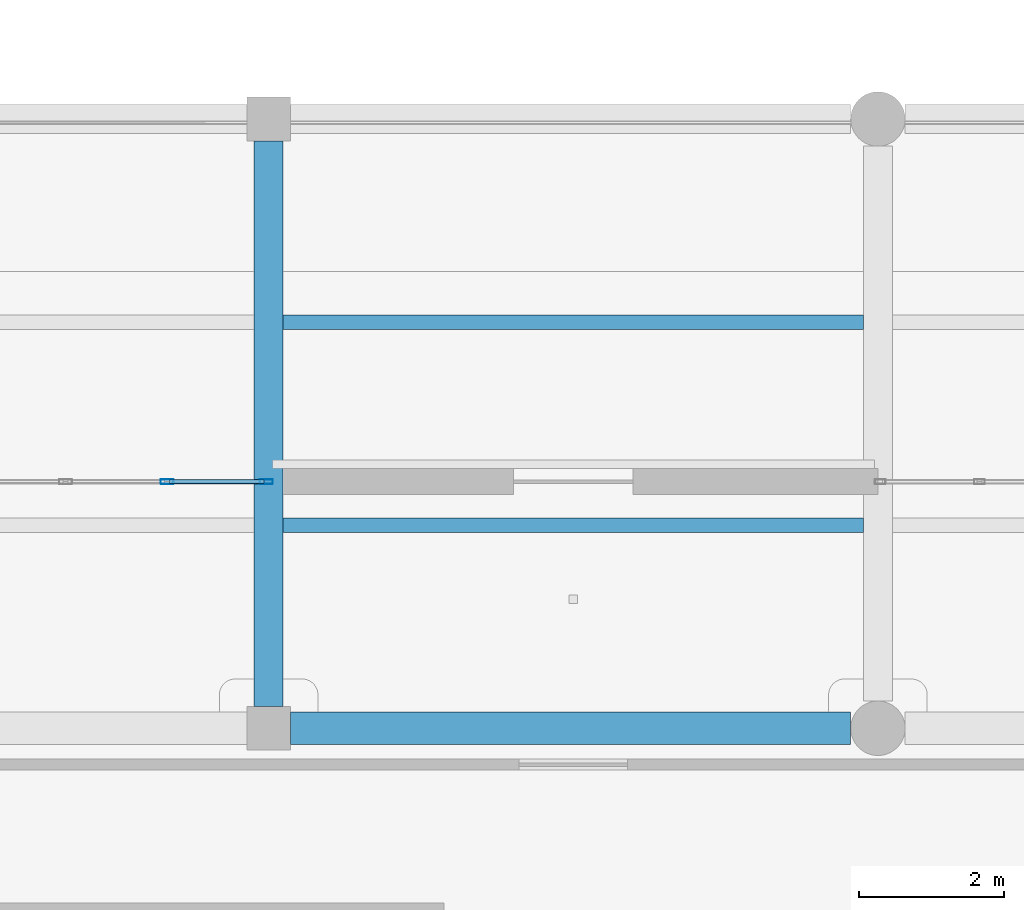
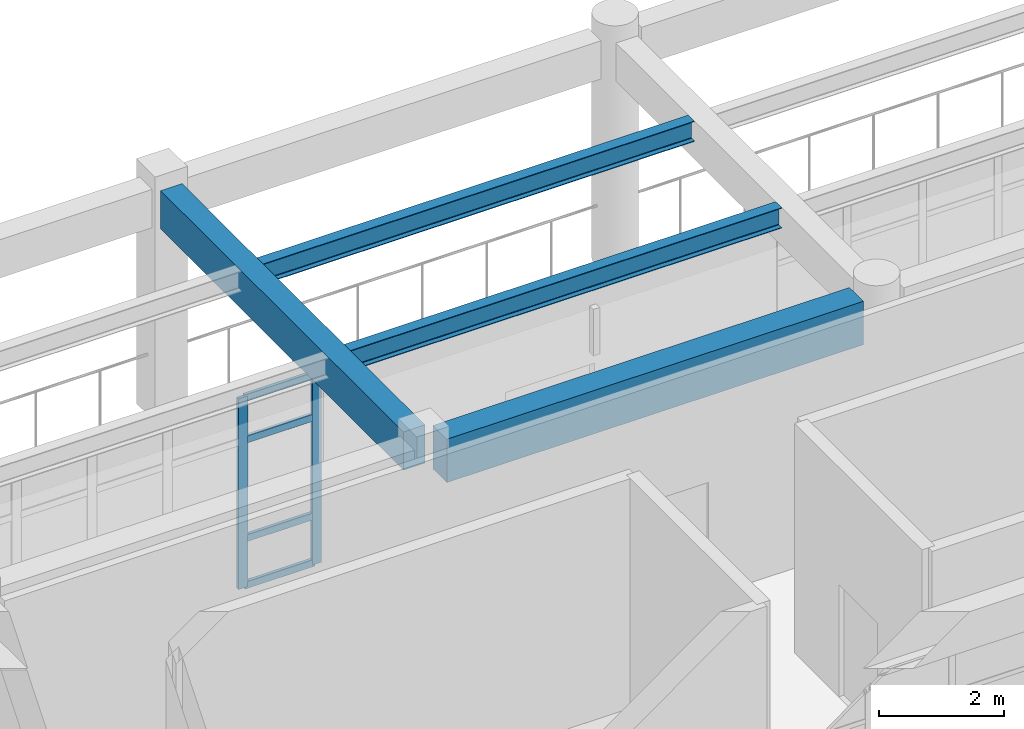
# One storey, part 10 of 139: 6 members, 4 beams, 1 element without a shape of its own.
"""IFC4 building model written with IfcOpenShell, lengths in metres."""

from ifc_helpers import new_model, si_unit, direction, frame, origin, origin_2d, place, context, subcontext, project, spatial, rectangle, hollow_rectangle, i_section, extrude, material, material_profile, profile_set, type_object, element, aggregate, save


model = new_model("IFC4")

# Units and contexts
model_context = context("Model", 3, precision=1e-05, world=origin(), true_north=direction((0.0, 1.0)))
body_context = subcontext(model_context, "Body", "Model", "MODEL_VIEW")
ifc_project = project(units=[si_unit("LENGTHUNIT", "METRE"), si_unit("AREAUNIT", "SQUARE_METRE"), si_unit("VOLUMEUNIT", "CUBIC_METRE"), si_unit("PLANEANGLEUNIT", "RADIAN"), si_unit("MASSUNIT", "GRAM", prefix="KILO")], contexts=[model_context])

# Site, building, storey
site_placement = place(None, origin())
site = spatial("IfcSite", under=ifc_project, at=site_placement, CompositionType="ELEMENT")
building_placement = place(site_placement, origin())
building = spatial("IfcBuilding", under=site, at=building_placement, Name="Canglan Escarpment Cableway Terminal", CompositionType="ELEMENT")
storey_placement = place(building_placement, frame((0.0, 0.0, 14.39990234375)))
storey = spatial("IfcBuildingStorey", under=building, at=storey_placement, Name="L03", CompositionType="ELEMENT", Elevation=14.39990234375)

# Beams
ifc_material_1 = material(Name="Concrete C40", Category="concrete")
ifc_material_profile_1 = material_profile(ifc_material_1, rectangle(XDim=0.39990234375, YDim=0.75, at=origin_2d()), Name="RC 400x750")
ifc_profile_set_1 = profile_set([ifc_material_profile_1], Name="Concrete C40")
beam_type_1 = type_object("IfcBeamType", Name="BM-RC400x750", PredefinedType="BEAM", material=ifc_profile_set_1)
beam_1_placement = place(storey_placement, frame((93.800048828125, 16.699951171875, 4.125), z_axis=(0.0, 1.0, 0.0), x_axis=(-1.0, 0.0, 0.0)))
element("IfcBeam", 1, at=beam_1_placement, inside=storey, type_object=beam_type_1, Name="Primary transverse girder B-03", PredefinedType="BEAM", context=body_context, shape_type="SweptSolid", body=[
    extrude(rectangle(XDim=0.39990234375, YDim=0.75, at=origin_2d()), origin(), (0.0, 0.0, 1.0), 7.800048828125),
])
ifc_material_profile_2 = material_profile(ifc_material_1, rectangle(XDim=0.449951171875, YDim=0.85009765625, at=origin_2d()), Name="RC 450x850")
ifc_profile_set_2 = profile_set([ifc_material_profile_2], Name="Concrete C40")
beam_type_2 = type_object("IfcBeamType", Name="BM-RC450x850", PredefinedType="BEAM", material=ifc_profile_set_2)
beam_2_placement = place(storey_placement, frame((94.10009765625, 16.39990234375, 4.0751953125), z_axis=(1.0, 0.0, 0.0), x_axis=(0.0, 1.0, 0.0)))
element("IfcBeam", 2, at=beam_2_placement, inside=storey, type_object=beam_type_2, Name="Primary structural girder B-02", PredefinedType="BEAM", context=body_context, shape_type="SweptSolid", body=[
    extrude(rectangle(XDim=0.449951171875, YDim=0.85009765625, at=origin_2d()), origin(), (0.0, 0.0, 1.0), 7.724853515625),
])

# Curtain wall, members
ifc_material_2 = material(Name="Anodized bronze aluminium and Low-E double glazing", Category="aluminium")
curtain_wall_type = type_object("IfcCurtainWallType", Name="CW-BAY-8400x3725", PredefinedType="NOTDEFINED", material=ifc_material_2)
curtain_wall_placement = place(storey_placement, origin())
curtain_wall = element("IfcCurtainWall", 3, at=curtain_wall_placement, inside=storey, type_object=curtain_wall_type, Name="Classical bay-between-piers glazed curtain wall CW-14", PredefinedType="NOTDEFINED")
ifc_material_3 = material(Name="Thermally broken anodized aluminium 6063-T6", Category="aluminium")
ifc_material_profile_3 = material_profile(ifc_material_3, hollow_rectangle(XDim=0.06494140625, YDim=0.179931640625, WallThickness=0.00390625, InnerFilletRadius=0.00390625, OuterFilletRadius=0.008056640625, at=origin_2d()), Name="ALU-MULL 65x180x4")
ifc_profile_set_3 = profile_set([ifc_material_profile_3], Name="Thermally broken anodized aluminium 6063-T6")
member_type_1 = type_object("IfcMemberType", Name="CWM-03", PredefinedType="MULLION", material=ifc_profile_set_3)
member_1_placement = place(storey_placement, frame((93.767578125, 19.800048828125, 0.0), z_axis=(0.0, 0.0, 1.0), x_axis=(0.0, -1.0, 0.0)))
member_1 = element("IfcMember", 4, at=member_1_placement, type_object=member_type_1, Name="CW-14 mullion 1", PredefinedType="MULLION", context=body_context, shape_type="SweptSolid", body=[
    extrude(hollow_rectangle(XDim=0.06494140625, YDim=0.179931640625, WallThickness=0.00390625, InnerFilletRadius=0.00390625, OuterFilletRadius=0.008056640625, at=origin_2d()), origin(), (0.0, 0.0, 1.0), 3.735107421875),
])
member_2_placement = place(storey_placement, frame((92.39990234375, 19.800048828125, 0.0), z_axis=(0.0, 0.0, 1.0), x_axis=(0.0, -1.0, 0.0)))
member_2 = element("IfcMember", 5, at=member_2_placement, type_object=member_type_1, Name="CW-14 mullion 2", PredefinedType="MULLION", context=body_context, shape_type="SweptSolid", body=[
    extrude(hollow_rectangle(XDim=0.06494140625, YDim=0.179931640625, WallThickness=0.00390625, InnerFilletRadius=0.00390625, OuterFilletRadius=0.008056640625, at=origin_2d()), origin(), (0.0, 0.0, 1.0), 3.735107421875),
])
ifc_material_profile_4 = material_profile(ifc_material_3, hollow_rectangle(XDim=0.06494140625, YDim=0.139892578125, WallThickness=0.00341796875, InnerFilletRadius=0.00341796875, OuterFilletRadius=0.007080078125, at=origin_2d()), Name="ALU-TRAN 65x140x3.5")
ifc_profile_set_4 = profile_set([ifc_material_profile_4], Name="Thermally broken anodized aluminium 6063-T6")
member_type_2 = type_object("IfcMemberType", Name="CWT-03", PredefinedType="USERDEFINED", material=ifc_profile_set_4)
member_3_placement = place(storey_placement, frame((93.735107421875, 19.800048828125, 0.03271484375), z_axis=(-1.0, 0.0, 0.0), x_axis=(0.0, -1.0, 0.0)))
member_3 = element("IfcMember", 6, at=member_3_placement, type_object=member_type_2, Name="CW-14 transom 1.1", ObjectType="TRANSOM", PredefinedType="USERDEFINED", context=body_context, shape_type="SweptSolid", body=[
    extrude(hollow_rectangle(XDim=0.06494140625, YDim=0.139892578125, WallThickness=0.00341796875, InnerFilletRadius=0.00341796875, OuterFilletRadius=0.007080078125, at=origin_2d()), origin(), (0.0, 0.0, 1.0), 1.302490234375),
])
member_4_placement = place(storey_placement, frame((93.735107421875, 19.800048828125, 0.9501953125), z_axis=(-1.0, 0.0, 0.0), x_axis=(0.0, -1.0, 0.0)))
member_4 = element("IfcMember", 7, at=member_4_placement, type_object=member_type_2, Name="CW-14 transom 1.2", ObjectType="TRANSOM", PredefinedType="USERDEFINED", context=body_context, shape_type="SweptSolid", body=[
    extrude(hollow_rectangle(XDim=0.06494140625, YDim=0.139892578125, WallThickness=0.00341796875, InnerFilletRadius=0.00341796875, OuterFilletRadius=0.007080078125, at=origin_2d()), origin(), (0.0, 0.0, 1.0), 1.302490234375),
])
member_5_placement = place(storey_placement, frame((93.735107421875, 19.800048828125, 2.885009765625), z_axis=(-1.0, 0.0, 0.0), x_axis=(0.0, -1.0, 0.0)))
member_5 = element("IfcMember", 8, at=member_5_placement, type_object=member_type_2, Name="CW-14 transom 1.3", ObjectType="TRANSOM", PredefinedType="USERDEFINED", context=body_context, shape_type="SweptSolid", body=[
    extrude(hollow_rectangle(XDim=0.06494140625, YDim=0.139892578125, WallThickness=0.00341796875, InnerFilletRadius=0.00341796875, OuterFilletRadius=0.007080078125, at=origin_2d()), origin(), (0.0, 0.0, 1.0), 1.302490234375),
])
member_6_placement = place(storey_placement, frame((93.735107421875, 19.800048828125, 3.70263671875), z_axis=(-1.0, 0.0, 0.0), x_axis=(0.0, -1.0, 0.0)))
member_6 = element("IfcMember", 9, at=member_6_placement, type_object=member_type_2, Name="CW-14 transom 1.4", ObjectType="TRANSOM", PredefinedType="USERDEFINED", context=body_context, shape_type="SweptSolid", body=[
    extrude(hollow_rectangle(XDim=0.06494140625, YDim=0.139892578125, WallThickness=0.00341796875, InnerFilletRadius=0.00341796875, OuterFilletRadius=0.007080078125, at=origin_2d()), origin(), (0.0, 0.0, 1.0), 1.302490234375),
])
aggregate(curtain_wall, [member_1, member_2, member_3, member_4, member_5, member_6])

# Beams
ifc_material_4 = material(Name="Steel Q355B", Category="steel")
ifc_material_profile_5 = material_profile(ifc_material_4, i_section(OverallWidth=0.199951171875, OverallDepth=0.39990234375, WebThickness=0.008056640625, FlangeThickness=0.012939453125, FilletRadius=0.01611328125, at=origin_2d()), Name="HN 400x200x8x13")
ifc_profile_set_5 = profile_set([ifc_material_profile_5], Name="Steel Q355B")
beam_type_3 = type_object("IfcBeamType", Name="JS-HN400", PredefinedType="JOIST", material=ifc_profile_set_5)
for number, where, z_axis, x_axis, name in (
    (10, (94.0, 19.199951171875, 4.300048828125), (1.0, 0.0, 0.0), (0.0, 1.0, 0.0), "Secondary composite deck joist J-03"),
    (11, (94.0, 22.0, 4.300048828125), (1.0, 0.0, 0.0), (0.0, 1.0, 0.0), "Secondary composite deck joist J-03"),
):
    element("IfcBeam", number, at=place(storey_placement, frame(where, z_axis=z_axis, x_axis=x_axis)), inside=storey, type_object=beam_type_3, Name=name, PredefinedType="JOIST", context=body_context, shape_type="SweptSolid", body=[
        extrude(i_section(OverallWidth=0.199951171875, OverallDepth=0.39990234375, WebThickness=0.008056640625, FlangeThickness=0.012939453125, FilletRadius=0.01611328125, at=origin_2d()), origin(), (0.0, 0.0, 1.0), 8.0),
    ])

save(model, "model.ifc")
